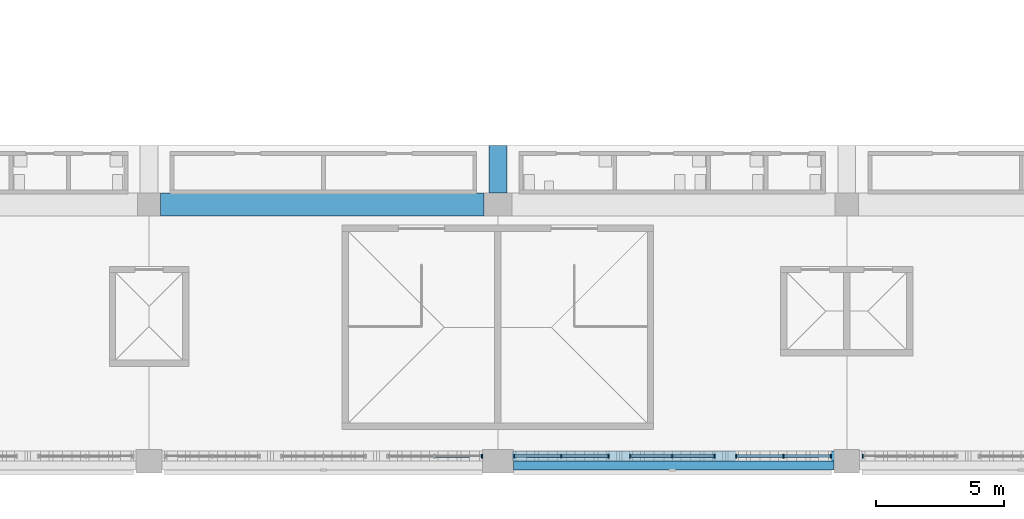
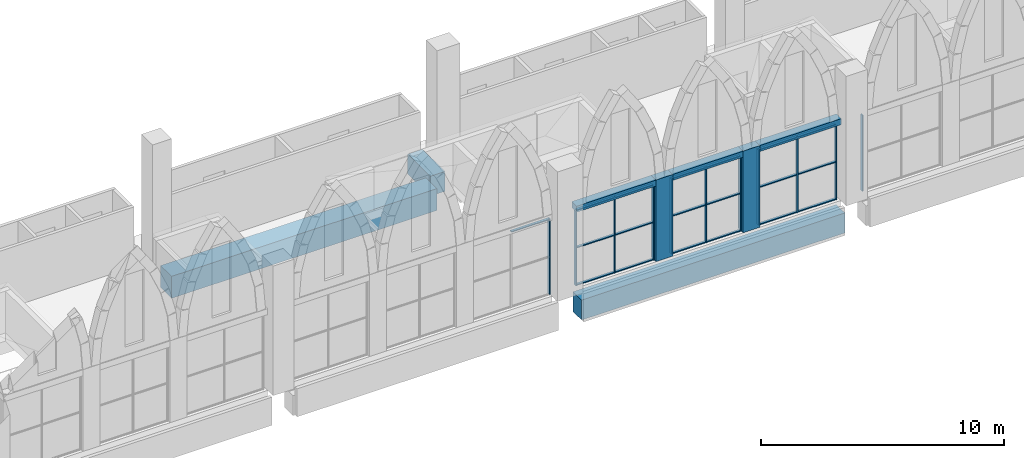
# One storey, part 10 of 130: 32 members, 6 beams, 5 elements without a shape of their own.
"""IFC4 building model written with IfcOpenShell, lengths in metres."""

from ifc_helpers import new_model, si_unit, direction, frame, origin, origin_2d, place, context, subcontext, project, spatial, rectangle, extrude, material, material_profile, profile_set, type_object, element, aggregate, save


model = new_model("IFC4")

# Units and contexts
model_context = context("Model", 3, precision=1e-05, world=origin(), true_north=direction((0.0, 1.0)))
body_context = subcontext(model_context, "Body", "Model", "MODEL_VIEW")
ifc_project = project(units=[si_unit("LENGTHUNIT", "METRE"), si_unit("AREAUNIT", "SQUARE_METRE"), si_unit("VOLUMEUNIT", "CUBIC_METRE"), si_unit("PLANEANGLEUNIT", "RADIAN"), si_unit("MASSUNIT", "GRAM", prefix="KILO")], contexts=[model_context])

# Site, building, storey
site_placement = place(None, origin())
site = spatial("IfcSite", under=ifc_project, at=site_placement, CompositionType="ELEMENT")
building_placement = place(site_placement, origin())
building = spatial("IfcBuilding", under=site, at=building_placement, Name="Ogive Plaza Stadium", CompositionType="ELEMENT")
storey_placement = place(building_placement, frame((0.0, 0.0, 22.5)))
storey = spatial("IfcBuildingStorey", under=building, at=storey_placement, Name="L05", CompositionType="ELEMENT", Elevation=22.5)

# Curtain wall, member
ifc_material_1 = material(Name="Bronze-anodised aluminium with laminated glass", Category="aluminium")
curtain_wall_type = type_object("IfcCurtainWallType", Name="Lancet curtain wall", PredefinedType="NOTDEFINED", material=ifc_material_1)
curtain_wall_1_placement = place(storey_placement, origin())
curtain_wall_1 = element("IfcCurtainWall", 1, at=curtain_wall_1_placement, inside=storey, type_object=curtain_wall_type, Name="CURTAIN WALL B12 L05", PredefinedType="NOTDEFINED")
ifc_material_2 = material(Name="Bronze-anodised aluminium", Category="aluminium")
ifc_material_profile_1 = material_profile(ifc_material_2, rectangle(XDim=0.14990234375, YDim=0.050048828125, at=origin_2d()), Name="AL 150x50")
ifc_profile_set_1 = profile_set([ifc_material_profile_1], Name="Bronze-anodised aluminium")
member_type_1 = type_object("IfcMemberType", Name="Curtain wall mullion 50x150", PredefinedType="MULLION", material=ifc_profile_set_1)
member_1_placement = place(storey_placement, frame((21.02490234375, -102.300048828125, 0.0), z_axis=(0.0, 0.0, 1.0), x_axis=(0.0, -1.0, 0.0)))
member_1 = element("IfcMember", 2, at=member_1_placement, type_object=member_type_1, Name="CW-B12-L05.3 mullion 3", PredefinedType="MULLION", context=body_context, shape_type="SweptSolid", body=[
    extrude(rectangle(XDim=0.14990234375, YDim=0.050048828125, at=origin_2d()), origin(), (0.0, 0.0, 1.0), 3.800048828125),
])
aggregate(curtain_wall_1, [member_1])

# Curtain wall, members
curtain_wall_2_placement = place(storey_placement, origin())
curtain_wall_2 = element("IfcCurtainWall", 3, at=curtain_wall_2_placement, inside=storey, type_object=curtain_wall_type, Name="CURTAIN WALL B13 L05", PredefinedType="NOTDEFINED")
member_2_placement = place(storey_placement, frame((19.77490234375, -102.300048828125, 0.0), z_axis=(0.0, 0.0, 1.0), x_axis=(0.0, -1.0, 0.0)))
member_2 = element("IfcMember", 4, at=member_2_placement, type_object=member_type_1, Name="CW-B13-L05.1 mullion 1", PredefinedType="MULLION", context=body_context, shape_type="SweptSolid", body=[
    extrude(rectangle(XDim=0.14990234375, YDim=0.050048828125, at=origin_2d()), origin(), (0.0, 0.0, 1.0), 3.800048828125),
])
member_3_placement = place(storey_placement, frame((17.933349609375, -102.300048828125, 0.0), z_axis=(0.0, 0.0, 1.0), x_axis=(0.0, -1.0, 0.0)))
member_3 = element("IfcMember", 5, at=member_3_placement, type_object=member_type_1, Name="CW-B13-L05.1 mullion 2", PredefinedType="MULLION", context=body_context, shape_type="SweptSolid", body=[
    extrude(rectangle(XDim=0.14990234375, YDim=0.050048828125, at=origin_2d()), origin(), (0.0, 0.0, 1.0), 3.800048828125),
])
member_4_placement = place(storey_placement, frame((16.091552734375, -102.300048828125, 0.0), z_axis=(0.0, 0.0, 1.0), x_axis=(0.0, -1.0, 0.0)))
member_4 = element("IfcMember", 6, at=member_4_placement, type_object=member_type_1, Name="CW-B13-L05.1 mullion 3", PredefinedType="MULLION", context=body_context, shape_type="SweptSolid", body=[
    extrude(rectangle(XDim=0.14990234375, YDim=0.050048828125, at=origin_2d()), origin(), (0.0, 0.0, 1.0), 3.800048828125),
])

curtain_wall_3_placement = place(storey_placement, origin())
curtain_wall_3 = element("IfcCurtainWall", 7, at=curtain_wall_3_placement, inside=storey, type_object=curtain_wall_type, Name="CURTAIN WALL B13 L05", PredefinedType="NOTDEFINED")
member_5_placement = place(storey_placement, frame((15.24169921875, -102.300048828125, 0.0), z_axis=(0.0, 0.0, 1.0), x_axis=(0.0, -1.0, 0.0)))
member_5 = element("IfcMember", 8, at=member_5_placement, type_object=member_type_1, Name="CW-B13-L05.2 mullion 1", PredefinedType="MULLION", context=body_context, shape_type="SweptSolid", body=[
    extrude(rectangle(XDim=0.14990234375, YDim=0.050048828125, at=origin_2d()), origin(), (0.0, 0.0, 1.0), 3.800048828125),
])
member_6_placement = place(storey_placement, frame((13.60009765625, -102.300048828125, 0.0), z_axis=(0.0, 0.0, 1.0), x_axis=(0.0, -1.0, 0.0)))
member_6 = element("IfcMember", 9, at=member_6_placement, type_object=member_type_1, Name="CW-B13-L05.2 mullion 2", PredefinedType="MULLION", context=body_context, shape_type="SweptSolid", body=[
    extrude(rectangle(XDim=0.14990234375, YDim=0.050048828125, at=origin_2d()), origin(), (0.0, 0.0, 1.0), 3.800048828125),
])
member_7_placement = place(storey_placement, frame((11.958251953125, -102.300048828125, 0.0), z_axis=(0.0, 0.0, 1.0), x_axis=(0.0, -1.0, 0.0)))
member_7 = element("IfcMember", 10, at=member_7_placement, type_object=member_type_1, Name="CW-B13-L05.2 mullion 3", PredefinedType="MULLION", context=body_context, shape_type="SweptSolid", body=[
    extrude(rectangle(XDim=0.14990234375, YDim=0.050048828125, at=origin_2d()), origin(), (0.0, 0.0, 1.0), 3.800048828125),
])

curtain_wall_4_placement = place(storey_placement, origin())
curtain_wall_4 = element("IfcCurtainWall", 11, at=curtain_wall_4_placement, inside=storey, type_object=curtain_wall_type, Name="CURTAIN WALL B13 L05", PredefinedType="NOTDEFINED")
member_8_placement = place(storey_placement, frame((11.1083984375, -102.300048828125, 0.0), z_axis=(0.0, 0.0, 1.0), x_axis=(0.0, -1.0, 0.0)))
member_8 = element("IfcMember", 12, at=member_8_placement, type_object=member_type_1, Name="CW-B13-L05.3 mullion 1", PredefinedType="MULLION", context=body_context, shape_type="SweptSolid", body=[
    extrude(rectangle(XDim=0.14990234375, YDim=0.050048828125, at=origin_2d()), origin(), (0.0, 0.0, 1.0), 3.800048828125),
])
member_9_placement = place(storey_placement, frame((9.2666015625, -102.300048828125, 0.0), z_axis=(0.0, 0.0, 1.0), x_axis=(0.0, -1.0, 0.0)))
member_9 = element("IfcMember", 13, at=member_9_placement, type_object=member_type_1, Name="CW-B13-L05.3 mullion 2", PredefinedType="MULLION", context=body_context, shape_type="SweptSolid", body=[
    extrude(rectangle(XDim=0.14990234375, YDim=0.050048828125, at=origin_2d()), origin(), (0.0, 0.0, 1.0), 3.800048828125),
])
member_10_placement = place(storey_placement, frame((7.425048828125, -102.300048828125, 0.0), z_axis=(0.0, 0.0, 1.0), x_axis=(0.0, -1.0, 0.0)))
member_10 = element("IfcMember", 14, at=member_10_placement, type_object=member_type_1, Name="CW-B13-L05.3 mullion 3", PredefinedType="MULLION", context=body_context, shape_type="SweptSolid", body=[
    extrude(rectangle(XDim=0.14990234375, YDim=0.050048828125, at=origin_2d()), origin(), (0.0, 0.0, 1.0), 3.800048828125),
])

# Curtain wall, member
curtain_wall_5_placement = place(storey_placement, origin())
curtain_wall_5 = element("IfcCurtainWall", 15, at=curtain_wall_5_placement, inside=storey, type_object=curtain_wall_type, Name="CURTAIN WALL B14 L05", PredefinedType="NOTDEFINED")
member_11_placement = place(storey_placement, frame((6.175048828125, -102.300048828125, 0.0), z_axis=(0.0, 0.0, 1.0), x_axis=(0.0, -1.0, 0.0)))
member_11 = element("IfcMember", 16, at=member_11_placement, type_object=member_type_1, Name="CW-B14-L05.1 mullion 1", PredefinedType="MULLION", context=body_context, shape_type="SweptSolid", body=[
    extrude(rectangle(XDim=0.14990234375, YDim=0.050048828125, at=origin_2d()), origin(), (0.0, 0.0, 1.0), 3.800048828125),
])

# Member
ifc_material_3 = material(Name="Bronze-anodised aluminium", Category="aluminium")
ifc_material_profile_2 = material_profile(ifc_material_3, rectangle(XDim=0.1201171875, YDim=0.050048828125, at=origin_2d()), Name="AL 120x50")
ifc_profile_set_2 = profile_set([ifc_material_profile_2], Name="Bronze-anodised aluminium")
member_type_2 = type_object("IfcMemberType", Name="Curtain wall transom 50x120", PredefinedType="USERDEFINED", material=ifc_profile_set_2)
member_12_placement = place(storey_placement, frame((19.75, -102.300048828125, 0.02490234375), z_axis=(-1.0, 0.0, 0.0), x_axis=(0.0, -1.0, 0.0)))
member_12 = element("IfcMember", 17, at=member_12_placement, type_object=member_type_2, Name="CW-B13-L05.1 transom 1.1", ObjectType="TRANSOM", PredefinedType="USERDEFINED", context=body_context, shape_type="SweptSolid", body=[
    extrude(rectangle(XDim=0.1201171875, YDim=0.050048828125, at=origin_2d()), origin(), (0.0, 0.0, 1.0), 1.791748046875),
])

member_13_placement = place(storey_placement, frame((19.75, -102.300048828125, 1.89990234375), z_axis=(-1.0, 0.0, 0.0), x_axis=(0.0, -1.0, 0.0)))
member_13 = element("IfcMember", 18, at=member_13_placement, type_object=member_type_2, Name="CW-B13-L05.1 transom 1.2", ObjectType="TRANSOM", PredefinedType="USERDEFINED", context=body_context, shape_type="SweptSolid", body=[
    extrude(rectangle(XDim=0.1201171875, YDim=0.050048828125, at=origin_2d()), origin(), (0.0, 0.0, 1.0), 1.791748046875),
])

member_14_placement = place(storey_placement, frame((19.75, -102.300048828125, 3.77490234375), z_axis=(-1.0, 0.0, 0.0), x_axis=(0.0, -1.0, 0.0)))
member_14 = element("IfcMember", 19, at=member_14_placement, type_object=member_type_2, Name="CW-B13-L05.1 transom 1.3", ObjectType="TRANSOM", PredefinedType="USERDEFINED", context=body_context, shape_type="SweptSolid", body=[
    extrude(rectangle(XDim=0.1201171875, YDim=0.050048828125, at=origin_2d()), origin(), (0.0, 0.0, 1.0), 1.791748046875),
])

member_15_placement = place(storey_placement, frame((17.908447265625, -102.300048828125, 0.02490234375), z_axis=(-1.0, 0.0, 0.0), x_axis=(0.0, -1.0, 0.0)))
member_15 = element("IfcMember", 20, at=member_15_placement, type_object=member_type_2, Name="CW-B13-L05.1 transom 2.1", ObjectType="TRANSOM", PredefinedType="USERDEFINED", context=body_context, shape_type="SweptSolid", body=[
    extrude(rectangle(XDim=0.1201171875, YDim=0.050048828125, at=origin_2d()), origin(), (0.0, 0.0, 1.0), 1.791748046875),
])

member_16_placement = place(storey_placement, frame((17.908447265625, -102.300048828125, 1.89990234375), z_axis=(-1.0, 0.0, 0.0), x_axis=(0.0, -1.0, 0.0)))
member_16 = element("IfcMember", 21, at=member_16_placement, type_object=member_type_2, Name="CW-B13-L05.1 transom 2.2", ObjectType="TRANSOM", PredefinedType="USERDEFINED", context=body_context, shape_type="SweptSolid", body=[
    extrude(rectangle(XDim=0.1201171875, YDim=0.050048828125, at=origin_2d()), origin(), (0.0, 0.0, 1.0), 1.791748046875),
])

member_17_placement = place(storey_placement, frame((17.908447265625, -102.300048828125, 3.77490234375), z_axis=(-1.0, 0.0, 0.0), x_axis=(0.0, -1.0, 0.0)))
member_17 = element("IfcMember", 22, at=member_17_placement, type_object=member_type_2, Name="CW-B13-L05.1 transom 2.3", ObjectType="TRANSOM", PredefinedType="USERDEFINED", context=body_context, shape_type="SweptSolid", body=[
    extrude(rectangle(XDim=0.1201171875, YDim=0.050048828125, at=origin_2d()), origin(), (0.0, 0.0, 1.0), 1.791748046875),
])

aggregate(curtain_wall_2, [member_2, member_3, member_4, member_12, member_13, member_14, member_15, member_16, member_17])

member_18_placement = place(storey_placement, frame((15.216552734375, -102.300048828125, 0.02490234375), z_axis=(-1.0, 0.0, 0.0), x_axis=(0.0, -1.0, 0.0)))
member_18 = element("IfcMember", 23, at=member_18_placement, type_object=member_type_2, Name="CW-B13-L05.2 transom 1.1", ObjectType="TRANSOM", PredefinedType="USERDEFINED", context=body_context, shape_type="SweptSolid", body=[
    extrude(rectangle(XDim=0.1201171875, YDim=0.050048828125, at=origin_2d()), origin(), (0.0, 0.0, 1.0), 1.591552734375),
])

member_19_placement = place(storey_placement, frame((15.216552734375, -102.300048828125, 1.89990234375), z_axis=(-1.0, 0.0, 0.0), x_axis=(0.0, -1.0, 0.0)))
member_19 = element("IfcMember", 24, at=member_19_placement, type_object=member_type_2, Name="CW-B13-L05.2 transom 1.2", ObjectType="TRANSOM", PredefinedType="USERDEFINED", context=body_context, shape_type="SweptSolid", body=[
    extrude(rectangle(XDim=0.1201171875, YDim=0.050048828125, at=origin_2d()), origin(), (0.0, 0.0, 1.0), 1.591552734375),
])

member_20_placement = place(storey_placement, frame((15.216552734375, -102.300048828125, 3.77490234375), z_axis=(-1.0, 0.0, 0.0), x_axis=(0.0, -1.0, 0.0)))
member_20 = element("IfcMember", 25, at=member_20_placement, type_object=member_type_2, Name="CW-B13-L05.2 transom 1.3", ObjectType="TRANSOM", PredefinedType="USERDEFINED", context=body_context, shape_type="SweptSolid", body=[
    extrude(rectangle(XDim=0.1201171875, YDim=0.050048828125, at=origin_2d()), origin(), (0.0, 0.0, 1.0), 1.591552734375),
])

member_21_placement = place(storey_placement, frame((13.574951171875, -102.300048828125, 0.02490234375), z_axis=(-1.0, 0.0, 0.0), x_axis=(0.0, -1.0, 0.0)))
member_21 = element("IfcMember", 26, at=member_21_placement, type_object=member_type_2, Name="CW-B13-L05.2 transom 2.1", ObjectType="TRANSOM", PredefinedType="USERDEFINED", context=body_context, shape_type="SweptSolid", body=[
    extrude(rectangle(XDim=0.1201171875, YDim=0.050048828125, at=origin_2d()), origin(), (0.0, 0.0, 1.0), 1.591552734375),
])

member_22_placement = place(storey_placement, frame((13.574951171875, -102.300048828125, 1.89990234375), z_axis=(-1.0, 0.0, 0.0), x_axis=(0.0, -1.0, 0.0)))
member_22 = element("IfcMember", 27, at=member_22_placement, type_object=member_type_2, Name="CW-B13-L05.2 transom 2.2", ObjectType="TRANSOM", PredefinedType="USERDEFINED", context=body_context, shape_type="SweptSolid", body=[
    extrude(rectangle(XDim=0.1201171875, YDim=0.050048828125, at=origin_2d()), origin(), (0.0, 0.0, 1.0), 1.591552734375),
])

member_23_placement = place(storey_placement, frame((13.574951171875, -102.300048828125, 3.77490234375), z_axis=(-1.0, 0.0, 0.0), x_axis=(0.0, -1.0, 0.0)))
member_23 = element("IfcMember", 28, at=member_23_placement, type_object=member_type_2, Name="CW-B13-L05.2 transom 2.3", ObjectType="TRANSOM", PredefinedType="USERDEFINED", context=body_context, shape_type="SweptSolid", body=[
    extrude(rectangle(XDim=0.1201171875, YDim=0.050048828125, at=origin_2d()), origin(), (0.0, 0.0, 1.0), 1.591552734375),
])

aggregate(curtain_wall_3, [member_5, member_6, member_7, member_18, member_19, member_20, member_21, member_22, member_23])

member_24_placement = place(storey_placement, frame((11.083251953125, -102.300048828125, 0.02490234375), z_axis=(-1.0, 0.0, 0.0), x_axis=(0.0, -1.0, 0.0)))
member_24 = element("IfcMember", 29, at=member_24_placement, type_object=member_type_2, Name="CW-B13-L05.3 transom 1.1", ObjectType="TRANSOM", PredefinedType="USERDEFINED", context=body_context, shape_type="SweptSolid", body=[
    extrude(rectangle(XDim=0.1201171875, YDim=0.050048828125, at=origin_2d()), origin(), (0.0, 0.0, 1.0), 1.79150390625),
])

member_25_placement = place(storey_placement, frame((11.083251953125, -102.300048828125, 1.89990234375), z_axis=(-1.0, 0.0, 0.0), x_axis=(0.0, -1.0, 0.0)))
member_25 = element("IfcMember", 30, at=member_25_placement, type_object=member_type_2, Name="CW-B13-L05.3 transom 1.2", ObjectType="TRANSOM", PredefinedType="USERDEFINED", context=body_context, shape_type="SweptSolid", body=[
    extrude(rectangle(XDim=0.1201171875, YDim=0.050048828125, at=origin_2d()), origin(), (0.0, 0.0, 1.0), 1.79150390625),
])

member_26_placement = place(storey_placement, frame((11.083251953125, -102.300048828125, 3.77490234375), z_axis=(-1.0, 0.0, 0.0), x_axis=(0.0, -1.0, 0.0)))
member_26 = element("IfcMember", 31, at=member_26_placement, type_object=member_type_2, Name="CW-B13-L05.3 transom 1.3", ObjectType="TRANSOM", PredefinedType="USERDEFINED", context=body_context, shape_type="SweptSolid", body=[
    extrude(rectangle(XDim=0.1201171875, YDim=0.050048828125, at=origin_2d()), origin(), (0.0, 0.0, 1.0), 1.79150390625),
])

member_27_placement = place(storey_placement, frame((9.24169921875, -102.300048828125, 0.02490234375), z_axis=(-1.0, 0.0, 0.0), x_axis=(0.0, -1.0, 0.0)))
member_27 = element("IfcMember", 32, at=member_27_placement, type_object=member_type_2, Name="CW-B13-L05.3 transom 2.1", ObjectType="TRANSOM", PredefinedType="USERDEFINED", context=body_context, shape_type="SweptSolid", body=[
    extrude(rectangle(XDim=0.1201171875, YDim=0.050048828125, at=origin_2d()), origin(), (0.0, 0.0, 1.0), 1.791748046875),
])

member_28_placement = place(storey_placement, frame((9.24169921875, -102.300048828125, 1.89990234375), z_axis=(-1.0, 0.0, 0.0), x_axis=(0.0, -1.0, 0.0)))
member_28 = element("IfcMember", 33, at=member_28_placement, type_object=member_type_2, Name="CW-B13-L05.3 transom 2.2", ObjectType="TRANSOM", PredefinedType="USERDEFINED", context=body_context, shape_type="SweptSolid", body=[
    extrude(rectangle(XDim=0.1201171875, YDim=0.050048828125, at=origin_2d()), origin(), (0.0, 0.0, 1.0), 1.791748046875),
])

member_29_placement = place(storey_placement, frame((9.24169921875, -102.300048828125, 3.77490234375), z_axis=(-1.0, 0.0, 0.0), x_axis=(0.0, -1.0, 0.0)))
member_29 = element("IfcMember", 34, at=member_29_placement, type_object=member_type_2, Name="CW-B13-L05.3 transom 2.3", ObjectType="TRANSOM", PredefinedType="USERDEFINED", context=body_context, shape_type="SweptSolid", body=[
    extrude(rectangle(XDim=0.1201171875, YDim=0.050048828125, at=origin_2d()), origin(), (0.0, 0.0, 1.0), 1.791748046875),
])

aggregate(curtain_wall_4, [member_8, member_9, member_10, member_24, member_25, member_26, member_27, member_28, member_29])

member_30_placement = place(storey_placement, frame((6.14990234375, -102.300048828125, 3.77490234375), z_axis=(-1.0, 0.0, 0.0), x_axis=(0.0, -1.0, 0.0)))
member_30 = element("IfcMember", 35, at=member_30_placement, type_object=member_type_2, Name="CW-B14-L05.1 transom 1.3", ObjectType="TRANSOM", PredefinedType="USERDEFINED", context=body_context, shape_type="SweptSolid", body=[
    extrude(rectangle(XDim=0.1201171875, YDim=0.050048828125, at=origin_2d()), origin(), (0.0, 0.0, 1.0), 1.79150390625),
])

aggregate(curtain_wall_5, [member_11, member_30])

# Members
ifc_material_4 = material(Name="Concrete C45/55 precast", Category="concrete")
ifc_material_profile_3 = material_profile(ifc_material_4, rectangle(XDim=0.39990234375, YDim=0.800048828125, at=origin_2d()), Name="RC 400x800")
ifc_profile_set_3 = profile_set([ifc_material_profile_3], Name="Concrete C45/55 precast")
member_type_3 = type_object("IfcMemberType", Name="Precast colonette 800x400", PredefinedType="POST", material=ifc_profile_set_3)
for number, where, z_axis, x_axis, name in (
    (36, (15.666748046875, -102.300048828125, 0.0), (0.0, 0.0, 1.0), (0.0, -1.0, 0.0), "COLONETTE B13 1"),
    (37, (11.533447265625, -102.300048828125, 0.0), (0.0, 0.0, 1.0), (0.0, -1.0, 0.0), "COLONETTE B13 2"),
):
    element("IfcMember", number, at=place(storey_placement, frame(where, z_axis=z_axis, x_axis=x_axis)), inside=storey, type_object=member_type_3, Name=name, PredefinedType="POST", context=body_context, shape_type="SweptSolid", body=[
        extrude(rectangle(XDim=0.39990234375, YDim=0.800048828125, at=origin_2d()), origin(), (0.0, 0.0, 1.0), 4.10009765625),
    ])

# Beams
ifc_material_5 = material(Name="Concrete C45/55 precast", Category="concrete")
ifc_material_profile_4 = material_profile(ifc_material_5, rectangle(XDim=0.39990234375, YDim=0.300048828125, at=origin_2d()), Name="RC 400x300")
ifc_profile_set_4 = profile_set([ifc_material_profile_4], Name="Concrete C45/55 precast")
beam_type_1 = type_object("IfcBeamType", Name="Precast tympanum lintel 400x300", PredefinedType="BEAM", material=ifc_profile_set_4)
beam_1_placement = place(storey_placement, frame((19.929931640625, -102.300048828125, 3.949951171875), z_axis=(-1.0, 0.0, 0.0), x_axis=(0.0, -1.0, 0.0)))
element("IfcBeam", 38, at=beam_1_placement, inside=storey, type_object=beam_type_1, Name="TYMPANUM LINTEL B13 1", PredefinedType="BEAM", context=body_context, shape_type="SweptSolid", body=[
    extrude(rectangle(XDim=0.39990234375, YDim=0.300048828125, at=origin_2d()), origin(), (0.0, 0.0, 1.0), 3.893310546875),
])
beam_2_placement = place(storey_placement, frame((15.296630859375, -102.300048828125, 3.949951171875), z_axis=(-1.0, 0.0, 0.0), x_axis=(0.0, -1.0, 0.0)))
element("IfcBeam", 39, at=beam_2_placement, inside=storey, type_object=beam_type_1, Name="TYMPANUM LINTEL B13 2", PredefinedType="BEAM", context=body_context, shape_type="SweptSolid", body=[
    extrude(rectangle(XDim=0.39990234375, YDim=0.300048828125, at=origin_2d()), origin(), (0.0, 0.0, 1.0), 3.393310546875),
])
beam_3_placement = place(storey_placement, frame((11.163330078125, -102.300048828125, 3.949951171875), z_axis=(-1.0, 0.0, 0.0), x_axis=(0.0, -1.0, 0.0)))
element("IfcBeam", 40, at=beam_3_placement, inside=storey, type_object=beam_type_1, Name="TYMPANUM LINTEL B13 3", PredefinedType="BEAM", context=body_context, shape_type="SweptSolid", body=[
    extrude(rectangle(XDim=0.39990234375, YDim=0.300048828125, at=origin_2d()), origin(), (0.0, 0.0, 1.0), 3.793212890625),
])
ifc_material_6 = material(Name="Concrete C40/50", Category="concrete")
ifc_material_profile_5 = material_profile(ifc_material_6, rectangle(XDim=0.699951171875, YDim=1.0, at=origin_2d()), Name="RC 700x1000")
ifc_profile_set_5 = profile_set([ifc_material_profile_5], Name="Concrete C40/50")
beam_type_2 = type_object("IfcBeamType", Name="RC radial beam 700x1000", PredefinedType="BEAM", material=ifc_profile_set_5)
beam_4_placement = place(storey_placement, frame((6.800048828125, -90.199951171875, -0.909912109375), z_axis=(0.0, -1.0, 0.0), x_axis=(1.0, 0.0, 0.0)))
element("IfcBeam", 41, at=beam_4_placement, inside=storey, type_object=beam_type_2, Name="Raker tail beam UT R14", PredefinedType="BEAM", context=body_context, shape_type="SweptSolid", body=[
    extrude(rectangle(XDim=0.699951171875, YDim=1.0, at=origin_2d()), origin(), (0.0, 0.0, 1.0), 1.85009765625),
])
ifc_material_7 = material(Name="Concrete C40/50", Category="concrete")
ifc_material_profile_6 = material_profile(ifc_material_7, rectangle(XDim=0.89990234375, YDim=1.10009765625, at=origin_2d()), Name="RC 900x1100")
ifc_profile_set_6 = profile_set([ifc_material_profile_6], Name="Concrete C40/50")
beam_type_3 = type_object("IfcBeamType", Name="RC ring beam 900x1100", PredefinedType="BEAM", material=ifc_profile_set_6)
beam_5_placement = place(storey_placement, frame((6.25, -92.5, -0.9599609375), z_axis=(-1.0, 0.0, 0.0), x_axis=(0.0, -1.0, 0.0)))
element("IfcBeam", 42, at=beam_5_placement, inside=storey, type_object=beam_type_3, Name="Ring beam F4 L05 B14", PredefinedType="BEAM", context=body_context, shape_type="SweptSolid", body=[
    extrude(rectangle(XDim=0.89990234375, YDim=1.10009765625, at=origin_2d()), origin(), (0.0, 0.0, 1.0), 12.60009765625),
])
ifc_material_8 = material(Name="Concrete C40/50", Category="concrete")
ifc_material_profile_7 = material_profile(ifc_material_8, rectangle(XDim=0.699951171875, YDim=1.0, at=origin_2d()), Name="RC 700x1000")
ifc_profile_set_7 = profile_set([ifc_material_profile_7], Name="Concrete C40/50")
beam_type_4 = type_object("IfcBeamType", Name="RC spandrel beam 700x1000", PredefinedType="SPANDREL", material=ifc_profile_set_7)
beam_6_placement = place(storey_placement, frame((19.89990234375, -102.5, -0.909912109375), z_axis=(-1.0, 0.0, 0.0), x_axis=(0.0, -1.0, 0.0)))
element("IfcBeam", 43, at=beam_6_placement, inside=storey, type_object=beam_type_4, Name="Ring beam F5 L05 B13", PredefinedType="SPANDREL", context=body_context, shape_type="SweptSolid", body=[
    extrude(rectangle(XDim=0.699951171875, YDim=1.0, at=origin_2d()), origin(), (0.0, 0.0, 1.0), 12.5),
])

save(model, "model.ifc")
